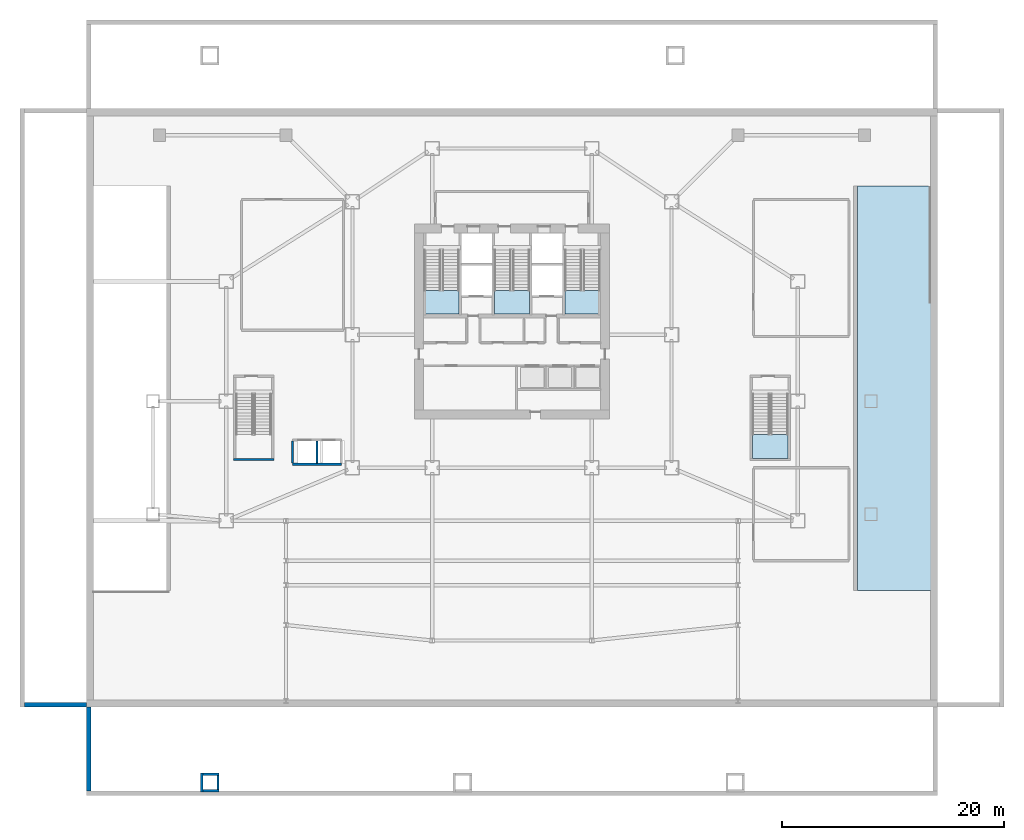
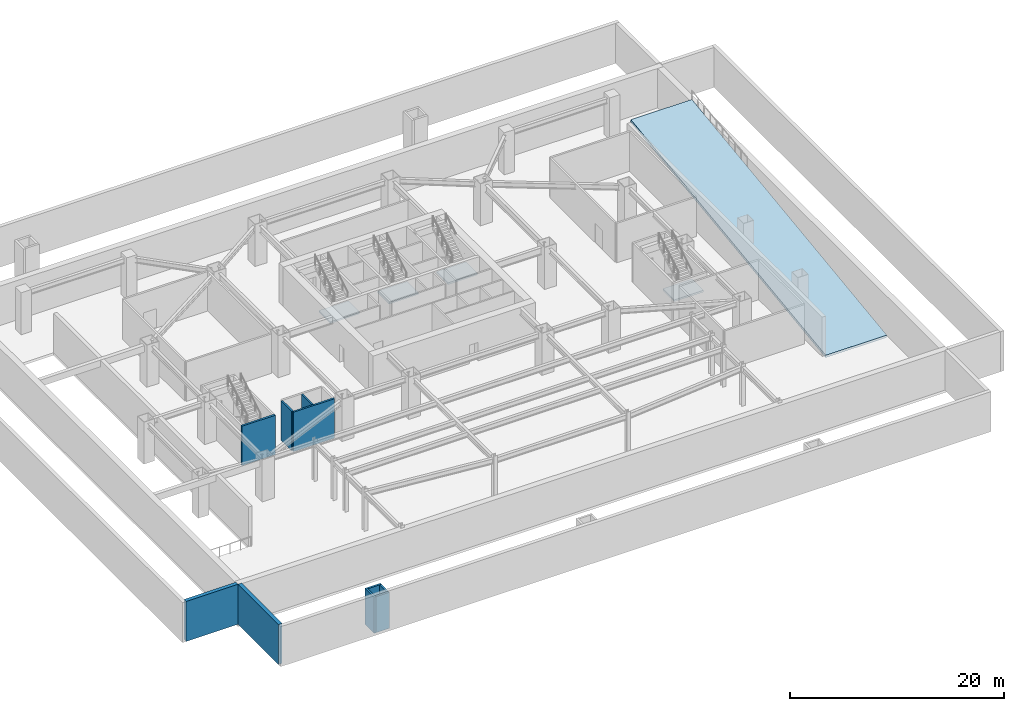
# One storey, part 5 of 15: 10 walls, 5 slabs, 4 elements without a shape of their own.
"""IFC4 building model written with IfcOpenShell, lengths in metres."""

from ifc_helpers import new_model, si_unit, direction, frame, frame_2d, origin, place, context, subcontext, project, spatial, polyline, rectangle, outline, extrude, material, layer, layer_set, type_object, element, aggregate, save


model = new_model("IFC4")

# Units and contexts
model_context = context("Model", 3, precision=1e-05, world=origin(), true_north=direction((0.0, 1.0)))
body_context = subcontext(model_context, "Body", "Model", "MODEL_VIEW")
ifc_project = project(units=[si_unit("LENGTHUNIT", "METRE"), si_unit("AREAUNIT", "SQUARE_METRE"), si_unit("VOLUMEUNIT", "CUBIC_METRE"), si_unit("PLANEANGLEUNIT", "RADIAN"), si_unit("MASSUNIT", "GRAM", prefix="KILO")], contexts=[model_context])

# Site, building, storey
site_placement = place(None, origin())
site = spatial("IfcSite", under=ifc_project, at=site_placement, CompositionType="ELEMENT")
building_placement = place(site_placement, origin())
building = spatial("IfcBuilding", under=site, at=building_placement, Name="Haolan Belvedere Tower", CompositionType="ELEMENT")
storey_placement = place(building_placement, frame((0.0, 0.0, -4.800048828125)))
storey = spatial("IfcBuildingStorey", under=building, at=storey_placement, Name="B1", CompositionType="ELEMENT", Elevation=-4.800048828125)

# Stair, slab
ifc_material_1 = material(Name="Concrete C40/50", Category="concrete")
stair_type = type_object("IfcStairType", Name="STR-DL-28R-171", PredefinedType="HALF_TURN_STAIR", material=ifc_material_1)
stair_1_placement = place(storey_placement, origin())
stair_1 = element("IfcStair", 1, at=stair_1_placement, inside=storey, type_object=stair_type, Name="B1 Smokeproof Core Exit Stair ST1", PredefinedType="HALF_TURN_STAIR")
ifc_layer_1 = layer(ifc_material_1, 0.199951171875, Name="Concrete C40/50")
ifc_layer_set_1 = layer_set([ifc_layer_1], Name="Concrete C40/50")
slab_type_1 = type_object("IfcSlabType", Name="SL-LAND-200", PredefinedType="LANDING", material=ifc_layer_set_1)
slab_1_placement = place(storey_placement, frame((0.0, 0.0, 2.199951171875)))
slab_1 = element("IfcSlab", 2, at=slab_1_placement, type_object=slab_type_1, Name="ST1 landing 1", PredefinedType="LANDING", context=body_context, shape_type="SweptSolid", body=[
    extrude(outline(polyline([(30.449951171875, 37.590087890625), (30.449951171875, 35.449951171875), (33.6298828125, 35.449951171875), (33.6298828125, 37.590087890625), (30.449951171875, 37.590087890625)])), origin(), (0.0, 0.0, 1.0), 0.2001953125),
])
aggregate(stair_1, [slab_1])

stair_2_placement = place(storey_placement, origin())
stair_2 = element("IfcStair", 3, at=stair_2_placement, inside=storey, type_object=stair_type, Name="B1 Smokeproof Core Exit Stair ST3", PredefinedType="HALF_TURN_STAIR")
slab_2_placement = place(storey_placement, frame((0.0, 0.0, 2.199951171875)))
slab_2 = element("IfcSlab", 4, at=slab_2_placement, type_object=slab_type_1, Name="ST3 landing 1", PredefinedType="LANDING", context=body_context, shape_type="SweptSolid", body=[
    extrude(outline(polyline([(36.81005859375, 37.590087890625), (36.81005859375, 35.449951171875), (39.989990234375, 35.449951171875), (39.989990234375, 37.590087890625), (36.81005859375, 37.590087890625)])), origin(), (0.0, 0.0, 1.0), 0.2001953125),
])
aggregate(stair_2, [slab_2])

stair_3_placement = place(storey_placement, origin())
stair_3 = element("IfcStair", 5, at=stair_3_placement, inside=storey, type_object=stair_type, Name="B1 Smokeproof Core Exit Stair ST2", PredefinedType="HALF_TURN_STAIR")
slab_3_placement = place(storey_placement, frame((0.0, 0.0, 2.199951171875)))
slab_3 = element("IfcSlab", 6, at=slab_3_placement, type_object=slab_type_1, Name="ST2 landing 1", PredefinedType="LANDING", context=body_context, shape_type="SweptSolid", body=[
    extrude(outline(polyline([(43.169921875, 37.590087890625), (43.169921875, 35.449951171875), (46.35009765625, 35.449951171875), (46.35009765625, 37.590087890625), (43.169921875, 37.590087890625)])), origin(), (0.0, 0.0, 1.0), 0.2001953125),
])
aggregate(stair_3, [slab_3])

stair_4_placement = place(storey_placement, origin())
stair_4 = element("IfcStair", 7, at=stair_4_placement, inside=storey, type_object=stair_type, Name="B1 East Podium Protected Exit Stair ST5", PredefinedType="HALF_TURN_STAIR")
slab_4_placement = place(storey_placement, frame((0.0, 0.0, 2.199951171875)))
slab_4 = element("IfcSlab", 8, at=slab_4_placement, type_object=slab_type_1, Name="ST5 landing 1", PredefinedType="LANDING", context=body_context, shape_type="SweptSolid", body=[
    extrude(outline(polyline([(60.1201171875, 24.590087890625), (60.1201171875, 22.449951171875), (63.300048828125, 22.449951171875), (63.300048828125, 24.590087890625), (60.1201171875, 24.590087890625)])), origin(), (0.0, 0.0, 1.0), 0.2001953125),
])
aggregate(stair_4, [slab_4])

# Slab
ifc_layer_2 = layer(ifc_material_1, 0.300048828125, Name="Concrete C40/50")
ifc_layer_set_2 = layer_set([ifc_layer_2], Name="Concrete C40/50")
slab_type_2 = type_object("IfcSlabType", Name="SL-RAMP-300", PredefinedType="FLOOR", material=ifc_layer_set_2)
slab_5_placement = place(storey_placement, frame((69.60009765625, 10.5, 0.0), z_axis=(0.0, -0.13038554996, 0.99146336713), x_axis=(1.0, 0.0, 0.0)))
element("IfcSlab", 9, at=slab_5_placement, inside=storey, type_object=slab_type_2, Name="B1 to L00 vehicle ramp structural slab VR-02", PredefinedType="FLOOR", context=body_context, shape_type="SweptSolid", body=[
    extrude(outline(polyline([(0.0, 0.0), (6.599853515625, 0.0), (6.599853515625, 36.81426990655097), (0.0, 36.81426990655097), (0.0, 0.0)])), origin(), (0.0, 0.0, -1.0), 0.300048828125),
])

# Walls
ifc_material_2 = material(Name="Concrete C50/60", Category="concrete")
ifc_layer_3 = layer(ifc_material_2, 0.39990234375, Name="Concrete C50/60")
ifc_layer_set_3 = layer_set([ifc_layer_3], Name="Concrete C50/60")
wall_type_1 = type_object("IfcWallType", Name="WL-RMP-400", PredefinedType="SOLIDWALL", material=ifc_layer_set_3)
wall_1_placement = place(storey_placement, frame((0.199951171875, -7.60009765625, 0.0), z_axis=(0.0, 0.0, 1.0), x_axis=(0.0, 1.0, 0.0)))
element("IfcWall", 10, at=wall_1_placement, inside=storey, type_object=wall_type_1, Name="B1 apron support wall APW-S-W", PredefinedType="SOLIDWALL", context=body_context, shape_type="SweptSolid", body=[
    extrude(rectangle(XDim=7.60009765625, YDim=0.39990234375, at=frame_2d((3.800048828125, 0.0))), origin(), (0.0, 0.0, 1.0), 4.570068359375),
])
wall_2_placement = place(storey_placement, frame((-5.60009765625, 0.199951171875, 0.0), z_axis=(0.0, 0.0, 1.0), x_axis=(1.0, 0.0, 0.0)))
element("IfcWall", 11, at=wall_2_placement, inside=storey, type_object=wall_type_1, Name="B1 apron support wall APW-W-S", PredefinedType="SOLIDWALL", context=body_context, shape_type="SweptSolid", body=[
    extrude(rectangle(XDim=5.60009765625, YDim=0.39990234375, at=frame_2d((2.800048828125, 0.0))), origin(), (0.0, 0.0, 1.0), 4.570068359375),
])
ifc_material_3 = material(Name="Gypsum fire shaftwall assembly", Category="masonry")
ifc_layer_4 = layer(ifc_material_3, 0.1650390625, Name="Gypsum fire shaftwall assembly")
ifc_layer_set_4 = layer_set([ifc_layer_4], Name="Gypsum fire shaftwall assembly")
wall_type_2 = type_object("IfcWallType", Name="WL-SHAFT-160", PredefinedType="SOLIDWALL", material=ifc_layer_set_4)
wall_3_placement = place(storey_placement, frame((20.800048828125, 22.0, 0.0), z_axis=(0.0, 0.0, 1.0), x_axis=(0.0, 1.0, 0.0)))
element("IfcWall", 12, at=wall_3_placement, inside=storey, type_object=wall_type_2, Name="B1 interior partition IW-B1-PB-M", PredefinedType="SOLIDWALL", context=body_context, shape_type="SweptSolid", body=[
    extrude(rectangle(XDim=2.0, YDim=0.159912109375, at=frame_2d((1.0, 0.0))), origin(), (0.0, 0.0, 1.0), 4.5),
])
ifc_material_4 = material(Name="Precast concrete C40/50", Category="concrete")
ifc_layer_5 = layer(ifc_material_4, 0.205078125, Name="Precast concrete C40/50")
ifc_layer_set_5 = layer_set([ifc_layer_5], Name="Precast concrete C40/50")
wall_type_3 = type_object("IfcWallType", Name="WL-SHAFT-200", PredefinedType="SOLIDWALL", material=ifc_layer_set_5)
wall_4_placement = place(storey_placement, frame((18.60009765625, 21.89990234375, 0.0), z_axis=(0.0, 0.0, 1.0), x_axis=(1.0, 0.0, 0.0)))
element("IfcWall", 13, at=wall_4_placement, inside=storey, type_object=wall_type_3, Name="B1 interior partition IW-B1-PB-S", PredefinedType="SOLIDWALL", context=body_context, shape_type="SweptSolid", body=[
    extrude(rectangle(XDim=4.39990234375, YDim=0.199951171875, at=frame_2d((2.199951171875, 0.0))), origin(), (0.0, 0.0, 1.0), 4.5),
])
wall_5_placement = place(storey_placement, frame((18.60009765625, 22.0, 0.0), z_axis=(0.0, 0.0, 1.0), x_axis=(0.0, 1.0, 0.0)))
element("IfcWall", 14, at=wall_5_placement, inside=storey, type_object=wall_type_3, Name="B1 interior partition IW-B1-PB-W", PredefinedType="SOLIDWALL", context=body_context, shape_type="SweptSolid", body=[
    extrude(rectangle(XDim=2.0, YDim=0.199951171875, at=frame_2d((1.0, 0.0))), origin(), (0.0, 0.0, 1.0), 4.5),
])
ifc_layer_6 = layer(ifc_material_2, 0.219970703125, Name="Concrete C50/60")
ifc_layer_set_6 = layer_set([ifc_layer_6], Name="Concrete C50/60")
wall_type_4 = type_object("IfcWallType", Name="WL-STAIR-220", PredefinedType="SHEAR", material=ifc_layer_set_6)
wall_6_placement = place(storey_placement, frame((13.280029296875, 22.340087890625, 0.0), z_axis=(0.0, 0.0, 1.0), x_axis=(1.0, 0.0, 0.0)))
element("IfcWall", 15, at=wall_6_placement, inside=storey, type_object=wall_type_4, Name="B1 podium stair ST4 structural shaft wall S", PredefinedType="SHEAR", context=body_context, shape_type="SweptSolid", body=[
    extrude(rectangle(XDim=3.619873046875, YDim=0.219970703125, at=frame_2d((1.81005859375, 0.0))), origin(), (0.0, 0.0, 1.0), 4.5),
])
wall_7_placement = place(storey_placement, frame((10.39990234375, -7.659912109375, 0.0), z_axis=(0.0, 0.0, 1.0), x_axis=(0.0, 1.0, 0.0)))
element("IfcWall", 16, at=wall_7_placement, inside=storey, type_object=wall_type_4, Name="South-west plaza step-free accessible ramp AR-1 foundation stem wall B1 W", PredefinedType="SHEAR", context=body_context, shape_type="SweptSolid", body=[
    extrude(rectangle(XDim=1.719970703125, YDim=0.219970703125, at=frame_2d((0.85986328125, 0.0))), origin(), (0.0, 0.0, 1.0), 4.1201171875),
])
for number, where, z_axis, x_axis, name in (
    (17, (10.510009765625, -6.050048828125, 0.0), (0.0, 0.0, 1.0), (1.0, 0.0, 0.0), "South-west plaza step-free accessible ramp AR-1 foundation stem wall B1 N"),
    (18, (10.510009765625, -7.550048828125, 0.0), (0.0, 0.0, 1.0), (1.0, 0.0, 0.0), "South-west plaza step-free accessible ramp AR-1 foundation stem wall B1 S"),
):
    element("IfcWall", number, at=place(storey_placement, frame(where, z_axis=z_axis, x_axis=x_axis)), inside=storey, type_object=wall_type_4, Name=name, PredefinedType="SHEAR", context=body_context, shape_type="SweptSolid", body=[
        extrude(rectangle(XDim=1.469970703125, YDim=0.219970703125, at=frame_2d((0.73486328125, 0.0))), origin(), (0.0, 0.0, 1.0), 4.1201171875),
    ])
wall_8_placement = place(storey_placement, frame((11.8701171875, -7.43994140625, 0.0), z_axis=(0.0, 0.0, 1.0), x_axis=(0.0, 1.0, 0.0)))
element("IfcWall", 19, at=wall_8_placement, inside=storey, type_object=wall_type_4, Name="South-west plaza step-free accessible ramp AR-1 foundation stem wall B1 E", PredefinedType="SHEAR", context=body_context, shape_type="SweptSolid", body=[
    extrude(rectangle(XDim=1.280029296875, YDim=0.219970703125, at=frame_2d((0.64013671875, 0.0))), origin(), (0.0, 0.0, 1.0), 4.1201171875),
])

save(model, "model.ifc")
